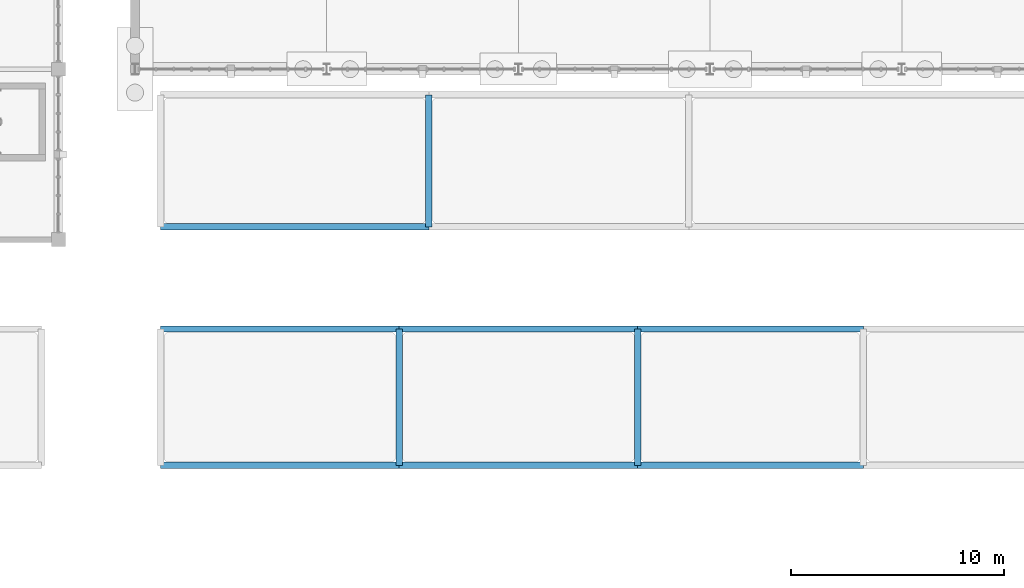
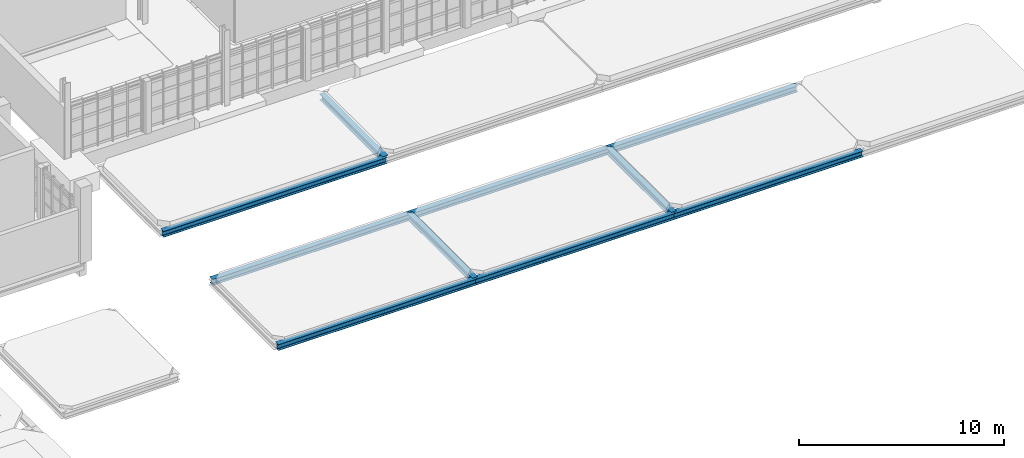
# One storey, part 28 of 125: 10 beams.
"""IFC4 building model written with IfcOpenShell, lengths in metres."""

from ifc_helpers import new_model, si_unit, direction, frame, origin, origin_2d, place, context, subcontext, project, spatial, i_section, extrude, material, material_profile, profile_set, type_object, element, save


model = new_model("IFC4")

# Units and contexts
model_context = context("Model", 3, precision=1e-05, world=origin(), true_north=direction((0.0, 1.0)))
body_context = subcontext(model_context, "Body", "Model", "MODEL_VIEW")
ifc_project = project(units=[si_unit("LENGTHUNIT", "METRE"), si_unit("AREAUNIT", "SQUARE_METRE"), si_unit("VOLUMEUNIT", "CUBIC_METRE"), si_unit("PLANEANGLEUNIT", "RADIAN"), si_unit("MASSUNIT", "GRAM", prefix="KILO")], contexts=[model_context])

# Site, building, storey
site_placement = place(None, origin())
site = spatial("IfcSite", under=ifc_project, at=site_placement, CompositionType="ELEMENT")
building_placement = place(site_placement, origin())
building = spatial("IfcBuilding", under=site, at=building_placement, Name="Serraforn Aerial Cableway Station", CompositionType="ELEMENT")
storey_placement = place(building_placement, frame((0.0, 0.0, 4.5)))
storey = spatial("IfcBuildingStorey", under=building, at=storey_placement, Name="L01", CompositionType="ELEMENT", Elevation=4.5)

# Beams
ifc_material = material(Name="Steel S355JR", Category="steel")
ifc_material_profile = material_profile(ifc_material, i_section(OverallWidth=0.300048828125, OverallDepth=0.360107421875, WebThickness=0.010009765625, FlangeThickness=0.017578125, FilletRadius=0.027099609375, at=origin_2d()), Name="HEA 360")
ifc_profile_set = profile_set([ifc_material_profile], Name="Steel S355JR")
beam_type = type_object("IfcBeamType", Name="BM-ST-HEA360", PredefinedType="BEAM", material=ifc_profile_set)
for number, where, z_axis, x_axis, name in (
    (1, (95.39990234375, 7.39990234375, -0.47998046875), (1.0, 0.0, 0.0), (0.0, 1.0, 0.0), "Colonnade Spandrel Beam SX-1-1"),
    (2, (95.39990234375, 13.800048828125, -0.47998046875), (1.0, 0.0, 0.0), (0.0, 1.0, 0.0), "Colonnade Spandrel Beam SX-1-2"),
):
    element("IfcBeam", number, at=place(storey_placement, frame(where, z_axis=z_axis, x_axis=x_axis)), inside=storey, type_object=beam_type, Name=name, PredefinedType="BEAM", context=body_context, shape_type="SweptSolid", body=[
        extrude(i_section(OverallWidth=0.300048828125, OverallDepth=0.360107421875, WebThickness=0.010009765625, FlangeThickness=0.017578125, FilletRadius=0.027099609375, at=origin_2d()), origin(), (0.0, 0.0, 1.0), 11.2001953125),
    ])
for number, where, z_axis, x_axis, name in (
    (3, (106.60009765625, 7.39990234375, -0.47998046875), (1.0, 0.0, 0.0), (0.0, 1.0, 0.0), "Colonnade Spandrel Beam SX-2-1"),
    (4, (106.60009765625, 13.800048828125, -0.47998046875), (1.0, 0.0, 0.0), (0.0, 1.0, 0.0), "Colonnade Spandrel Beam SX-2-2"),
):
    element("IfcBeam", number, at=place(storey_placement, frame(where, z_axis=z_axis, x_axis=x_axis)), inside=storey, type_object=beam_type, Name=name, PredefinedType="BEAM", context=body_context, shape_type="SweptSolid", body=[
        extrude(i_section(OverallWidth=0.300048828125, OverallDepth=0.360107421875, WebThickness=0.010009765625, FlangeThickness=0.017578125, FilletRadius=0.027099609375, at=origin_2d()), origin(), (0.0, 0.0, 1.0), 11.199951171875),
    ])
for number, where, z_axis, x_axis, name in (
    (5, (117.800048828125, 7.39990234375, -0.47998046875), (1.0, 0.0, 0.0), (0.0, 1.0, 0.0), "Colonnade Spandrel Beam SX-3-1"),
    (6, (117.800048828125, 13.800048828125, -0.47998046875), (1.0, 0.0, 0.0), (0.0, 1.0, 0.0), "Colonnade Spandrel Beam SX-3-2"),
):
    element("IfcBeam", number, at=place(storey_placement, frame(where, z_axis=z_axis, x_axis=x_axis)), inside=storey, type_object=beam_type, Name=name, PredefinedType="BEAM", context=body_context, shape_type="SweptSolid", body=[
        extrude(i_section(OverallWidth=0.300048828125, OverallDepth=0.360107421875, WebThickness=0.010009765625, FlangeThickness=0.017578125, FilletRadius=0.027099609375, at=origin_2d()), origin(), (0.0, 0.0, 1.0), 10.599853515625),
    ])
for number, where, z_axis, x_axis, name in (
    (7, (106.60009765625, 7.39990234375, -0.47998046875), (0.0, 1.0, 0.0), (-1.0, 0.0, 0.0), "Colonnade Cross Beam SY-2-1"),
    (8, (117.800048828125, 7.39990234375, -0.47998046875), (0.0, 1.0, 0.0), (-1.0, 0.0, 0.0), "Colonnade Cross Beam SY-3-1"),
):
    element("IfcBeam", number, at=place(storey_placement, frame(where, z_axis=z_axis, x_axis=x_axis)), inside=storey, type_object=beam_type, Name=name, PredefinedType="BEAM", context=body_context, shape_type="SweptSolid", body=[
        extrude(i_section(OverallWidth=0.300048828125, OverallDepth=0.360107421875, WebThickness=0.010009765625, FlangeThickness=0.017578125, FilletRadius=0.027099609375, at=origin_2d()), origin(), (0.0, 0.0, 1.0), 6.400146484375),
    ])
beam_1_placement = place(storey_placement, frame((95.39990234375, 18.60009765625, -0.52001953125), z_axis=(1.0, 0.0, 0.0), x_axis=(0.0, 1.0, 0.0)))
element("IfcBeam", 9, at=beam_1_placement, inside=storey, type_object=beam_type, Name="Colonnade Spandrel Beam CX-1-1", PredefinedType="BEAM", context=body_context, shape_type="SweptSolid", body=[
    extrude(i_section(OverallWidth=0.300048828125, OverallDepth=0.360107421875, WebThickness=0.010009765625, FlangeThickness=0.017578125, FilletRadius=0.027099609375, at=origin_2d()), origin(), (0.0, 0.0, 1.0), 12.60009765625),
])
beam_2_placement = place(storey_placement, frame((108.0, 18.60009765625, -0.52001953125), z_axis=(0.0, 1.0, 0.0), x_axis=(-1.0, 0.0, 0.0)))
element("IfcBeam", 10, at=beam_2_placement, inside=storey, type_object=beam_type, Name="Colonnade Cross Beam CY-2-1", PredefinedType="BEAM", context=body_context, shape_type="SweptSolid", body=[
    extrude(i_section(OverallWidth=0.300048828125, OverallDepth=0.360107421875, WebThickness=0.010009765625, FlangeThickness=0.017578125, FilletRadius=0.027099609375, at=origin_2d()), origin(), (0.0, 0.0, 1.0), 6.199951171875),
])

save(model, "model.ifc")
